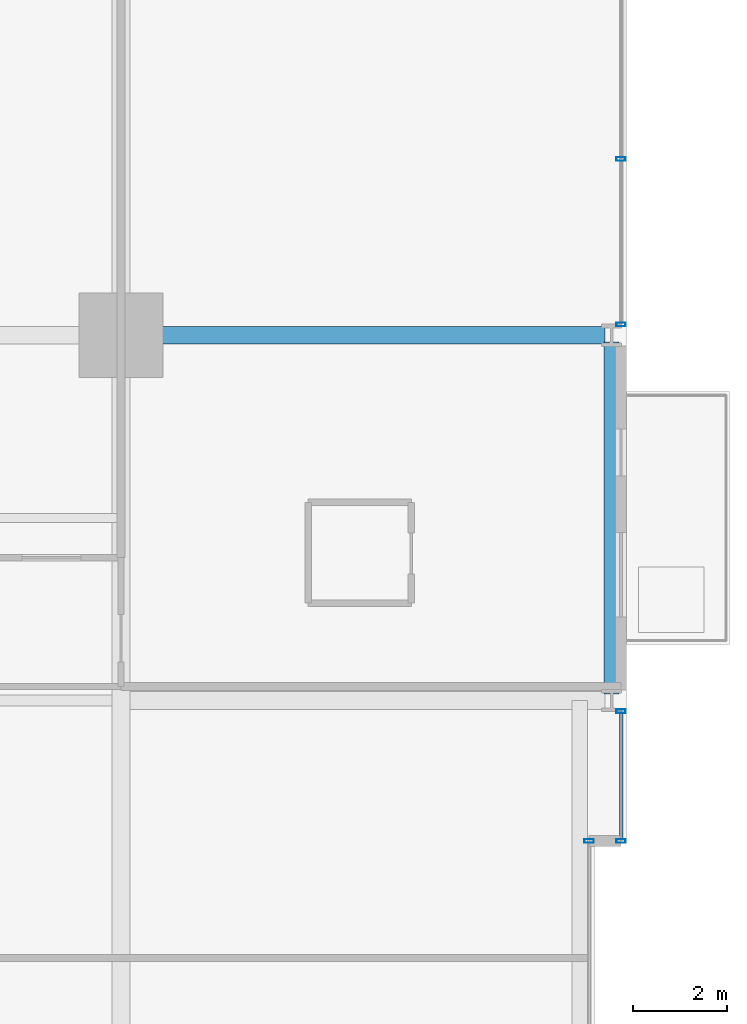
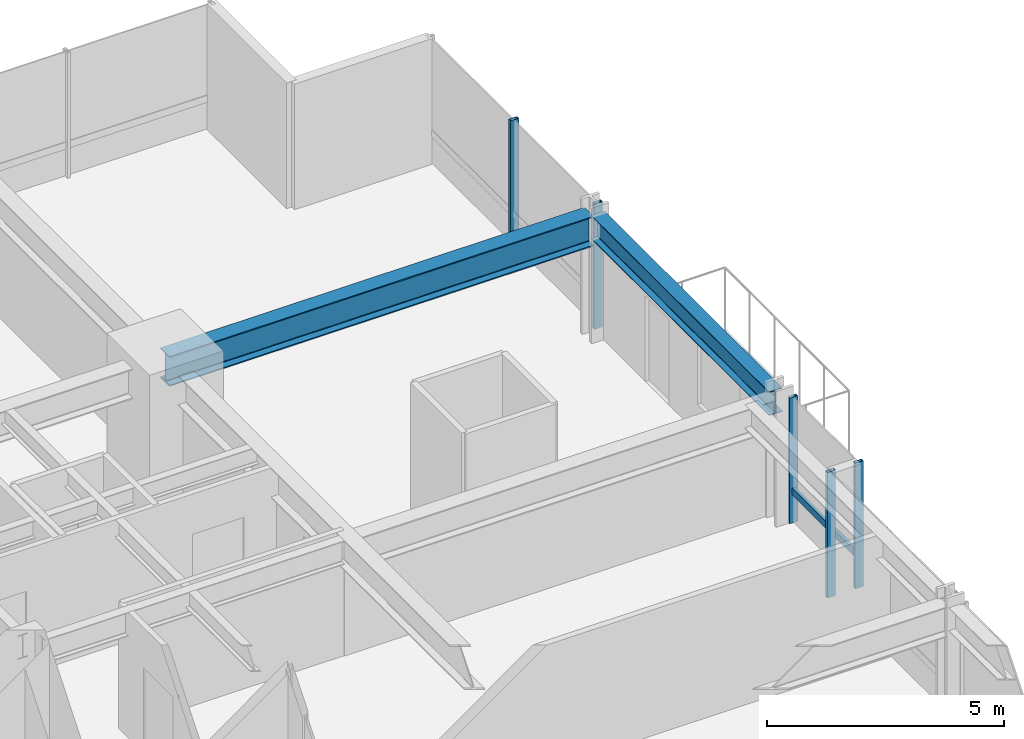
# One storey, part 25 of 38: 6 members, 2 beams, 3 elements without a shape of their own.
"""IFC4 building model written with IfcOpenShell, lengths in metres."""

from ifc_helpers import new_model, si_unit, direction, frame, origin, origin_2d, place, context, subcontext, project, spatial, hollow_rectangle, i_section, extrude, material, layer, layer_set, material_profile, profile_set, type_object, element, aggregate, save


model = new_model("IFC4")

# Units and contexts
model_context = context("Model", 3, precision=1e-05, world=origin(), true_north=direction((0.0, 1.0)))
body_context = subcontext(model_context, "Body", "Model", "MODEL_VIEW")
ifc_project = project(units=[si_unit("LENGTHUNIT", "METRE"), si_unit("AREAUNIT", "SQUARE_METRE"), si_unit("VOLUMEUNIT", "CUBIC_METRE"), si_unit("PLANEANGLEUNIT", "RADIAN"), si_unit("MASSUNIT", "GRAM", prefix="KILO")], contexts=[model_context])

# Site, building, storey
site_placement = place(None, origin())
site = spatial("IfcSite", under=ifc_project, at=site_placement, CompositionType="ELEMENT")
building_placement = place(site_placement, origin())
building = spatial("IfcBuilding", under=site, at=building_placement, Name="Drelvath Grand Hotel", CompositionType="ELEMENT")
storey_placement = place(building_placement, frame((0.0, 0.0, 68.199951171875)))
storey = spatial("IfcBuildingStorey", under=building, at=storey_placement, Name="L16", CompositionType="ELEMENT", Elevation=68.199951171875)

# Curtain wall, members
ifc_material_1 = material(Name="Warm Bronze Anodised Aluminium Frame", Category="aluminium")
ifc_layer = layer(ifc_material_1, 0.199951171875)
ifc_layer_set = layer_set([ifc_layer], Name="Warm Bronze Anodised Aluminium Frame")
curtain_wall_type = type_object("IfcCurtainWallType", Name="Stick Curtain Wall CW-02 Warm Bronze Low-Rise", PredefinedType="NOTDEFINED", material=ifc_layer_set)
curtain_wall_1_placement = place(storey_placement, origin())
curtain_wall_1 = element("IfcCurtainWall", 1, at=curtain_wall_1_placement, inside=storey, type_object=curtain_wall_type, Name="L16 CW-02 Curtain Wall CW02-L16-EN1", PredefinedType="NOTDEFINED")
ifc_material_profile_1 = material_profile(ifc_material_1, hollow_rectangle(XDim=0.074951171875, YDim=0.179931640625, WallThickness=0.0048828125, at=origin_2d()), Name="HSS180X75X5")
ifc_profile_set_1 = profile_set([ifc_material_profile_1], Name="Warm Bronze Anodised Aluminium Frame")
member_type_1 = type_object("IfcMemberType", Name="Curtain Wall Horizontal Transom CW-02 HSS180X75X5", PredefinedType="USERDEFINED", material=ifc_profile_set_1)
member_1_placement = place(storey_placement, frame((26.8798828125, 35.130859375, 0.81005859375), z_axis=(0.0, -1.0, 0.0), x_axis=(1.0, 0.0, 0.0)))
member_1 = element("IfcMember", 2, at=member_1_placement, type_object=member_type_1, Name="CW02-L16-EN1 Sill Transom", ObjectType="TRANSOM", PredefinedType="USERDEFINED", context=body_context, shape_type="SweptSolid", body=[
    extrude(hollow_rectangle(XDim=0.074951171875, YDim=0.179931640625, WallThickness=0.0048828125, at=origin_2d()), origin(), (0.0, 0.0, 1.0), 2.69091796875),
])
ifc_material_profile_2 = material_profile(ifc_material_1, hollow_rectangle(XDim=0.080078125, YDim=0.199951171875, WallThickness=0.0048828125, at=origin_2d()), Name="HSS200X80X5")
ifc_profile_set_2 = profile_set([ifc_material_profile_2], Name="Warm Bronze Anodised Aluminium Frame")
member_type_2 = type_object("IfcMemberType", Name="Curtain Wall Vertical Mullion CW-02 HSS200X80X5", PredefinedType="MULLION", material=ifc_profile_set_2)
member_2_placement = place(storey_placement, frame((26.8798828125, 35.1708984375, 0.0), z_axis=(0.0, 0.0, 1.0), x_axis=(0.0, 1.0, 0.0)))
member_2 = element("IfcMember", 3, at=member_2_placement, type_object=member_type_2, Name="CW02-L16-EN1 Mullion 1", PredefinedType="MULLION", context=body_context, shape_type="SweptSolid", body=[
    extrude(hollow_rectangle(XDim=0.080078125, YDim=0.199951171875, WallThickness=0.0048828125, at=origin_2d()), origin(), (0.0, 0.0, 1.0), 3.239990234375),
])
member_3_placement = place(storey_placement, frame((26.8798828125, 32.39990234375, 0.0), z_axis=(0.0, 0.0, 1.0), x_axis=(0.0, 1.0, 0.0)))
member_3 = element("IfcMember", 4, at=member_3_placement, type_object=member_type_2, Name="CW02-L16-EN1 Mullion 2", PredefinedType="MULLION", context=body_context, shape_type="SweptSolid", body=[
    extrude(hollow_rectangle(XDim=0.080078125, YDim=0.199951171875, WallThickness=0.0048828125, at=origin_2d()), origin(), (0.0, 0.0, 1.0), 3.239990234375),
])
aggregate(curtain_wall_1, [member_2, member_3, member_1])

curtain_wall_2_placement = place(storey_placement, origin())
curtain_wall_2 = element("IfcCurtainWall", 5, at=curtain_wall_2_placement, inside=storey, type_object=curtain_wall_type, Name="L16 CW-02 Curtain Wall CW02-L16-EN3", PredefinedType="NOTDEFINED")
member_4_placement = place(storey_placement, frame((26.8798828125, 46.964599609375, 0.0), z_axis=(0.0, 0.0, 1.0), x_axis=(0.0, 1.0, 0.0)))
member_4 = element("IfcMember", 6, at=member_4_placement, type_object=member_type_2, Name="CW02-L16-EN3 Mullion 2", PredefinedType="MULLION", context=body_context, shape_type="SweptSolid", body=[
    extrude(hollow_rectangle(XDim=0.080078125, YDim=0.199951171875, WallThickness=0.0048828125, at=origin_2d()), origin(), (0.0, 0.0, 1.0), 3.239990234375),
])
member_5_placement = place(storey_placement, frame((26.8798828125, 43.42919921875, 0.0), z_axis=(0.0, 0.0, 1.0), x_axis=(0.0, 1.0, 0.0)))
member_5 = element("IfcMember", 7, at=member_5_placement, type_object=member_type_2, Name="CW02-L16-EN3 Mullion 3", PredefinedType="MULLION", context=body_context, shape_type="SweptSolid", body=[
    extrude(hollow_rectangle(XDim=0.080078125, YDim=0.199951171875, WallThickness=0.0048828125, at=origin_2d()), origin(), (0.0, 0.0, 1.0), 3.239990234375),
])
aggregate(curtain_wall_2, [member_4, member_5])

# Curtain wall, member
curtain_wall_3_placement = place(storey_placement, origin())
curtain_wall_3 = element("IfcCurtainWall", 8, at=curtain_wall_3_placement, inside=storey, type_object=curtain_wall_type, Name="L16 CW-02 Curtain Wall CW02-L16-EM2", PredefinedType="NOTDEFINED")
member_6_placement = place(storey_placement, frame((26.199951171875, 32.39990234375, 0.0), z_axis=(0.0, 0.0, 1.0), x_axis=(0.0, 1.0, 0.0)))
member_6 = element("IfcMember", 9, at=member_6_placement, type_object=member_type_2, Name="CW02-L16-EM2 Mullion 1", PredefinedType="MULLION", context=body_context, shape_type="SweptSolid", body=[
    extrude(hollow_rectangle(XDim=0.080078125, YDim=0.199951171875, WallThickness=0.0048828125, at=origin_2d()), origin(), (0.0, 0.0, 1.0), 3.239990234375),
])
aggregate(curtain_wall_3, [member_6])

# Beams
ifc_material_2 = material(Name="Steel ASTM A992 Gr 50", Category="steel")
ifc_material_profile_3 = material_profile(ifc_material_2, i_section(OverallWidth=0.323974609375, OverallDepth=0.611083984375, WebThickness=0.0126953125, FlangeThickness=0.01904296875, FilletRadius=0.02197265625, at=origin_2d()), Name="W24X104")
ifc_profile_set_3 = profile_set([ifc_material_profile_3], Name="Steel ASTM A992 Gr 50")
beam_type_1 = type_object("IfcBeamType", Name="Perimeter Spandrel Beam W24X104", PredefinedType="SPANDREL", material=ifc_profile_set_3)
beam_1_placement = place(storey_placement, frame((26.679931640625, 35.5400390625, 2.9345703125), z_axis=(0.0, 1.0, 0.0), x_axis=(-1.0, 0.0, 0.0)))
element("IfcBeam", 10, at=beam_1_placement, inside=storey, type_object=beam_type_1, Name="L16 Spandrel East N", PredefinedType="SPANDREL", context=body_context, shape_type="SweptSolid", body=[
    extrude(i_section(OverallWidth=0.323974609375, OverallDepth=0.611083984375, WebThickness=0.0126953125, FlangeThickness=0.01904296875, FilletRadius=0.02197265625, at=origin_2d()), origin(), (0.0, 0.0, 1.0), 7.52001953125),
])
ifc_material_profile_4 = material_profile(ifc_material_2, i_section(OverallWidth=0.380615234375, OverallDepth=0.773193359375, WebThickness=0.0166015625, FlangeThickness=0.027099609375, FilletRadius=0.02490234375, at=origin_2d()), Name="W30X173")
ifc_profile_set_4 = profile_set([ifc_material_profile_4], Name="Steel ASTM A992 Gr 50")
beam_type_2 = type_object("IfcBeamType", Name="Primary Floor Girder W30X173", PredefinedType="BEAM", material=ifc_profile_set_4)
beam_2_placement = place(storey_placement, frame((16.199951171875, 43.199951171875, 2.853515625), z_axis=(1.0, 0.0, 0.0), x_axis=(0.0, 1.0, 0.0)))
element("IfcBeam", 11, at=beam_2_placement, inside=storey, type_object=beam_type_2, Name="L16 East Grid Girder G", PredefinedType="BEAM", context=body_context, shape_type="SweptSolid", body=[
    extrude(i_section(OverallWidth=0.380615234375, OverallDepth=0.773193359375, WebThickness=0.0166015625, FlangeThickness=0.027099609375, FilletRadius=0.02490234375, at=origin_2d()), origin(), (0.0, 0.0, 1.0), 10.340087890625),
])

save(model, "model.ifc")
